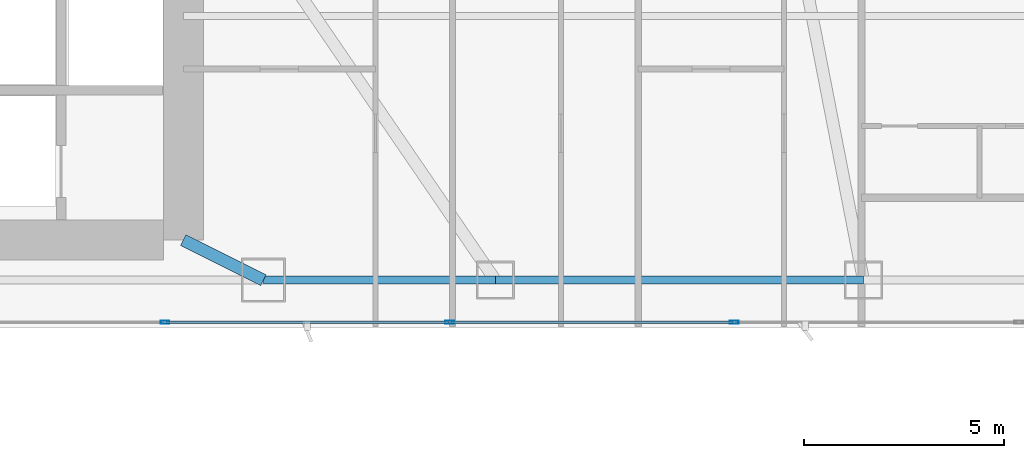
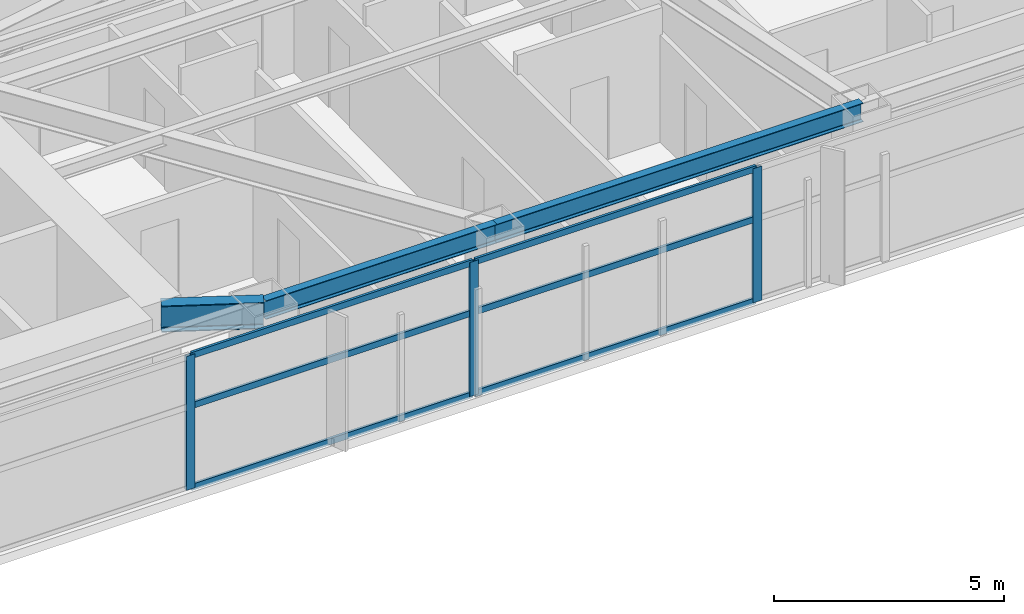
# One storey, part 12 of 30: 9 members, 3 beams, 1 element without a shape of its own.
"""IFC4 building model written with IfcOpenShell, lengths in metres."""

from ifc_helpers import new_model, si_unit, direction, frame, origin, origin_2d, place, context, subcontext, project, spatial, hollow_rectangle, i_section, extrude, material, layer, layer_set, material_profile, profile_set, type_object, element, aggregate, save


model = new_model("IFC4")

# Units and contexts
model_context = context("Model", 3, precision=1e-05, world=origin(), true_north=direction((0.0, 1.0)))
body_context = subcontext(model_context, "Body", "Model", "MODEL_VIEW")
ifc_project = project(units=[si_unit("LENGTHUNIT", "METRE"), si_unit("AREAUNIT", "SQUARE_METRE"), si_unit("VOLUMEUNIT", "CUBIC_METRE"), si_unit("PLANEANGLEUNIT", "RADIAN"), si_unit("MASSUNIT", "GRAM", prefix="KILO")], contexts=[model_context])

# Site, building, storey
site_placement = place(None, origin())
site = spatial("IfcSite", under=ifc_project, at=site_placement, CompositionType="ELEMENT")
building_placement = place(site_placement, origin())
building = spatial("IfcBuilding", under=site, at=building_placement, Name="Calvorn Quay Hotel", CompositionType="ELEMENT")
storey_placement = place(building_placement, frame((0.0, 0.0, 54.60009765625)))
storey = spatial("IfcBuildingStorey", under=building, at=storey_placement, Name="L12", CompositionType="ELEMENT", Elevation=54.60009765625)

# Beams
ifc_material_1 = material(Name="Steel Q390GJC", Category="steel")
ifc_material_profile_1 = material_profile(ifc_material_1, i_section(OverallWidth=0.300048828125, OverallDepth=0.699951171875, WebThickness=0.012939453125, FlangeThickness=0.02392578125, FilletRadius=0.02392578125, at=origin_2d()), Name="HN700x300x13x24")
ifc_profile_set_1 = profile_set([ifc_material_profile_1], Name="Steel Q390GJC")
beam_type_1 = type_object("IfcBeamType", Name="BM-GIRD-MAIN", PredefinedType="BEAM", material=ifc_profile_set_1)
beam_1_placement = place(storey_placement, frame((34.39990234375, 3.60009765625, 3.18994140625), z_axis=(-0.894427191, 0.4472135955, 0.0), x_axis=(-0.4472135955, -0.894427191, 0.0)))
element("IfcBeam", 1, at=beam_1_placement, inside=storey, type_object=beam_type_1, Name="Beam BG-L12-S3", PredefinedType="BEAM", context=body_context, shape_type="SweptSolid", body=[
    extrude(i_section(OverallWidth=0.300048828125, OverallDepth=0.699951171875, WebThickness=0.012939453125, FlangeThickness=0.02392578125, FilletRadius=0.02392578125, at=origin_2d()), origin(), (0.0, 0.0, 1.0), 2.236083984375),
])
ifc_material_2 = material(Name="Steel Q355B", Category="steel")
ifc_material_profile_2 = material_profile(ifc_material_2, i_section(OverallWidth=0.199951171875, OverallDepth=0.5, WebThickness=0.010009765625, FlangeThickness=0.01611328125, FilletRadius=0.01611328125, at=origin_2d()), Name="HN500x200x10x16")
ifc_profile_set_2 = profile_set([ifc_material_profile_2], Name="Steel Q355B")
beam_type_2 = type_object("IfcBeamType", Name="BM-SPANDREL-Z1", PredefinedType="SPANDREL", material=ifc_profile_set_2)
beam_2_placement = place(storey_placement, frame((34.39990234375, 3.60009765625, 3.289794921875), z_axis=(1.0, 0.0, 0.0), x_axis=(0.0, 1.0, 0.0)))
element("IfcBeam", 2, at=beam_2_placement, inside=storey, type_object=beam_type_2, Name="Beam BSP-L12-S4", PredefinedType="SPANDREL", context=body_context, shape_type="SweptSolid", body=[
    extrude(i_section(OverallWidth=0.199951171875, OverallDepth=0.5, WebThickness=0.010009765625, FlangeThickness=0.01611328125, FilletRadius=0.01611328125, at=origin_2d()), origin(), (0.0, 0.0, 1.0), 5.800048828125),
])
beam_3_placement = place(storey_placement, frame((40.199951171875, 3.60009765625, 3.289794921875), z_axis=(1.0, 0.0, 0.0), x_axis=(0.0, 1.0, 0.0)))
element("IfcBeam", 3, at=beam_3_placement, inside=storey, type_object=beam_type_2, Name="Beam BSP-L12-S5", PredefinedType="SPANDREL", context=body_context, shape_type="SweptSolid", body=[
    extrude(i_section(OverallWidth=0.199951171875, OverallDepth=0.5, WebThickness=0.010009765625, FlangeThickness=0.01611328125, FilletRadius=0.01611328125, at=origin_2d()), origin(), (0.0, 0.0, 1.0), 9.199951171875),
])

# Curtain wall, members
ifc_material_3 = material(Name="Pale Anodised Aluminium and Low-E Glass", Category="aluminium")
ifc_layer = layer(ifc_material_3, 0.219970703125)
ifc_layer_set = layer_set([ifc_layer], Name="CW-SYS-Z1")
curtain_wall_type = type_object("IfcCurtainWallType", Name="CW-SYS-Z1", PredefinedType="NOTDEFINED", material=ifc_layer_set)
curtain_wall_placement = place(storey_placement, origin())
curtain_wall = element("IfcCurtainWall", 4, at=curtain_wall_placement, inside=storey, type_object=curtain_wall_type, Name="Tower South Waterfront Curtain Wall (L12)", PredefinedType="NOTDEFINED")
ifc_material_4 = material(Name="Pale Anodised Aluminium 6063-T6", Category="aluminium")
ifc_material_profile_3 = material_profile(ifc_material_4, hollow_rectangle(XDim=0.074951171875, YDim=0.219970703125, WallThickness=0.00439453125, at=origin_2d()), Name="ALU-M220x75x4.5")
ifc_profile_set_3 = profile_set([ifc_material_profile_3], Name="Pale Anodised Aluminium 6063-T6")
member_type_1 = type_object("IfcMemberType", Name="CW-SYS-Z1-MUL", PredefinedType="MULLION", material=ifc_profile_set_3)
member_1_placement = place(storey_placement, frame((31.94287109375, 2.550048828125, 0.0), z_axis=(0.0, 0.0, 1.0), x_axis=(0.0, 1.0, 0.0)))
member_1 = element("IfcMember", 5, at=member_1_placement, type_object=member_type_1, Name="CW-L12-S mullion 4", PredefinedType="MULLION", context=body_context, shape_type="SweptSolid", body=[
    extrude(hollow_rectangle(XDim=0.074951171875, YDim=0.219970703125, WallThickness=0.00439453125, at=origin_2d()), origin(), (0.0, 0.0, 1.0), 3.559814453125),
])
member_2_placement = place(storey_placement, frame((39.05712890625, 2.550048828125, 0.0), z_axis=(0.0, 0.0, 1.0), x_axis=(0.0, 1.0, 0.0)))
member_2 = element("IfcMember", 6, at=member_2_placement, type_object=member_type_1, Name="CW-L12-S mullion 5", PredefinedType="MULLION", context=body_context, shape_type="SweptSolid", body=[
    extrude(hollow_rectangle(XDim=0.074951171875, YDim=0.219970703125, WallThickness=0.00439453125, at=origin_2d()), origin(), (0.0, 0.0, 1.0), 3.559814453125),
])
member_3_placement = place(storey_placement, frame((46.17138671875, 2.550048828125, 0.0), z_axis=(0.0, 0.0, 1.0), x_axis=(0.0, 1.0, 0.0)))
member_3 = element("IfcMember", 7, at=member_3_placement, type_object=member_type_1, Name="CW-L12-S mullion 6", PredefinedType="MULLION", context=body_context, shape_type="SweptSolid", body=[
    extrude(hollow_rectangle(XDim=0.074951171875, YDim=0.219970703125, WallThickness=0.00439453125, at=origin_2d()), origin(), (0.0, 0.0, 1.0), 3.559814453125),
])
ifc_material_5 = material(Name="Pale Anodised Aluminium 6063-T6", Category="aluminium")
ifc_material_profile_4 = material_profile(ifc_material_5, hollow_rectangle(XDim=0.06494140625, YDim=0.1650390625, WallThickness=0.00341796875, at=origin_2d()), Name="ALU-T165x65x3.5")
ifc_profile_set_4 = profile_set([ifc_material_profile_4], Name="Pale Anodised Aluminium 6063-T6")
member_type_2 = type_object("IfcMemberType", Name="CW-SYS-Z1-TRN", PredefinedType="USERDEFINED", material=ifc_profile_set_4)
member_4_placement = place(storey_placement, frame((31.972900390625, 2.550048828125, 0.02978515625), z_axis=(1.0, 0.0, 0.0), x_axis=(0.0, 1.0, 0.0)))
member_4 = element("IfcMember", 8, at=member_4_placement, type_object=member_type_2, Name="CW-L12-S transom 4.1", ObjectType="TRANSOM", PredefinedType="USERDEFINED", context=body_context, shape_type="SweptSolid", body=[
    extrude(hollow_rectangle(XDim=0.06494140625, YDim=0.1650390625, WallThickness=0.00341796875, at=origin_2d()), origin(), (0.0, 0.0, 1.0), 7.05419921875),
])
member_5_placement = place(storey_placement, frame((31.972900390625, 2.550048828125, 2.199951171875), z_axis=(1.0, 0.0, 0.0), x_axis=(0.0, 1.0, 0.0)))
member_5 = element("IfcMember", 9, at=member_5_placement, type_object=member_type_2, Name="CW-L12-S transom 4.2", ObjectType="TRANSOM", PredefinedType="USERDEFINED", context=body_context, shape_type="SweptSolid", body=[
    extrude(hollow_rectangle(XDim=0.06494140625, YDim=0.1650390625, WallThickness=0.00341796875, at=origin_2d()), origin(), (0.0, 0.0, 1.0), 7.05419921875),
])
member_6_placement = place(storey_placement, frame((31.972900390625, 2.550048828125, 3.52978515625), z_axis=(1.0, 0.0, 0.0), x_axis=(0.0, 1.0, 0.0)))
member_6 = element("IfcMember", 10, at=member_6_placement, type_object=member_type_2, Name="CW-L12-S transom 4.3", ObjectType="TRANSOM", PredefinedType="USERDEFINED", context=body_context, shape_type="SweptSolid", body=[
    extrude(hollow_rectangle(XDim=0.06494140625, YDim=0.1650390625, WallThickness=0.00341796875, at=origin_2d()), origin(), (0.0, 0.0, 1.0), 7.05419921875),
])
member_7_placement = place(storey_placement, frame((39.087158203125, 2.550048828125, 0.02978515625), z_axis=(1.0, 0.0, 0.0), x_axis=(0.0, 1.0, 0.0)))
member_7 = element("IfcMember", 11, at=member_7_placement, type_object=member_type_2, Name="CW-L12-S transom 5.1", ObjectType="TRANSOM", PredefinedType="USERDEFINED", context=body_context, shape_type="SweptSolid", body=[
    extrude(hollow_rectangle(XDim=0.06494140625, YDim=0.1650390625, WallThickness=0.00341796875, at=origin_2d()), origin(), (0.0, 0.0, 1.0), 7.05419921875),
])
member_8_placement = place(storey_placement, frame((39.087158203125, 2.550048828125, 2.199951171875), z_axis=(1.0, 0.0, 0.0), x_axis=(0.0, 1.0, 0.0)))
member_8 = element("IfcMember", 12, at=member_8_placement, type_object=member_type_2, Name="CW-L12-S transom 5.2", ObjectType="TRANSOM", PredefinedType="USERDEFINED", context=body_context, shape_type="SweptSolid", body=[
    extrude(hollow_rectangle(XDim=0.06494140625, YDim=0.1650390625, WallThickness=0.00341796875, at=origin_2d()), origin(), (0.0, 0.0, 1.0), 7.05419921875),
])
member_9_placement = place(storey_placement, frame((39.087158203125, 2.550048828125, 3.52978515625), z_axis=(1.0, 0.0, 0.0), x_axis=(0.0, 1.0, 0.0)))
member_9 = element("IfcMember", 13, at=member_9_placement, type_object=member_type_2, Name="CW-L12-S transom 5.3", ObjectType="TRANSOM", PredefinedType="USERDEFINED", context=body_context, shape_type="SweptSolid", body=[
    extrude(hollow_rectangle(XDim=0.06494140625, YDim=0.1650390625, WallThickness=0.00341796875, at=origin_2d()), origin(), (0.0, 0.0, 1.0), 7.05419921875),
])
aggregate(curtain_wall, [member_1, member_2, member_3, member_4, member_5, member_6, member_7, member_8, member_9])

save(model, "model.ifc")
